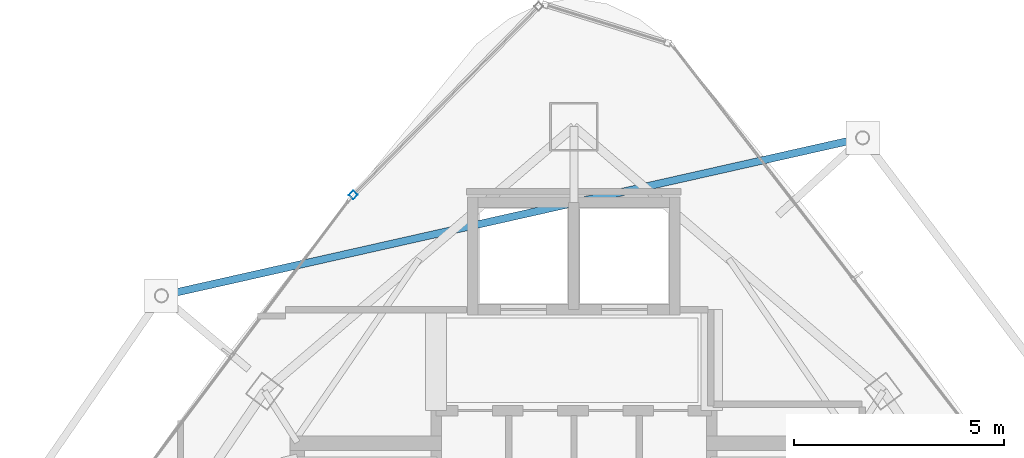
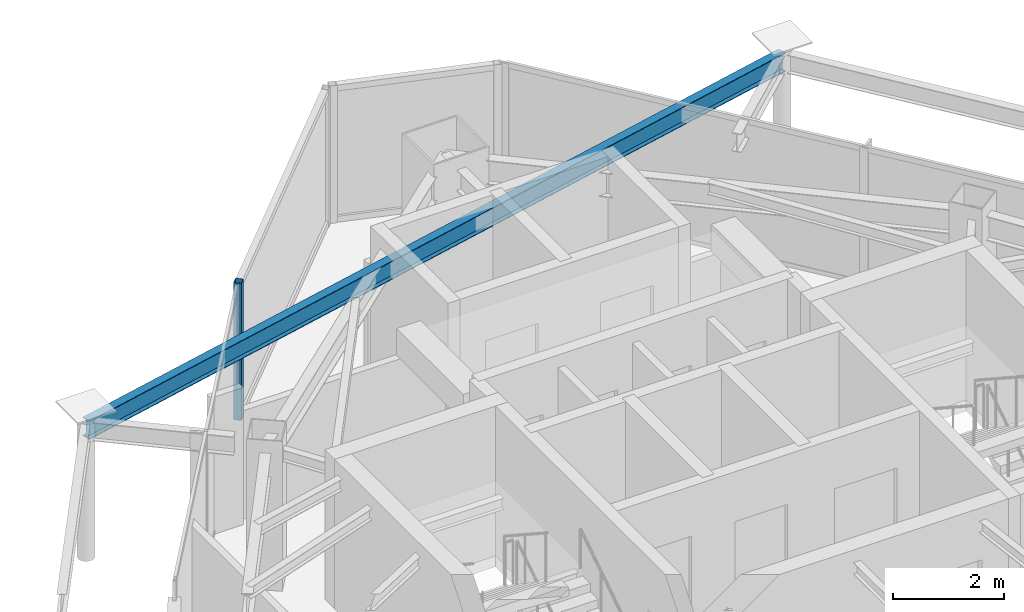
# One storey, part 21 of 30: 1 beam, 1 member, 1 element without a shape of its own.
"""IFC4 building model written with IfcOpenShell, lengths in metres."""

from ifc_helpers import new_model, si_unit, direction, frame, origin, origin_2d, place, context, subcontext, project, spatial, hollow_rectangle, i_section, extrude, material, layer, layer_set, material_profile, profile_set, type_object, element, aggregate, save


model = new_model("IFC4")

# Units and contexts
model_context = context("Model", 3, precision=1e-05, world=origin(), true_north=direction((0.0, 1.0)))
body_context = subcontext(model_context, "Body", "Model", "MODEL_VIEW")
ifc_project = project(units=[si_unit("LENGTHUNIT", "METRE"), si_unit("AREAUNIT", "SQUARE_METRE"), si_unit("VOLUMEUNIT", "CUBIC_METRE"), si_unit("PLANEANGLEUNIT", "RADIAN"), si_unit("MASSUNIT", "GRAM", prefix="KILO")], contexts=[model_context])

# Site, building, storey
site_placement = place(None, origin())
site = spatial("IfcSite", under=ifc_project, at=site_placement, CompositionType="ELEMENT")
building_placement = place(site_placement, origin())
building = spatial("IfcBuilding", under=site, at=building_placement, Name="Orvanel Arch Residences", CompositionType="ELEMENT")
storey_placement = place(building_placement, frame((0.0, 0.0, 273.35009765625)))
storey = spatial("IfcBuildingStorey", under=building, at=storey_placement, Name="L78", CompositionType="ELEMENT", Elevation=273.35009765625)

# Curtain wall, member
ifc_material_1 = material(Name="Bronze-anodised aluminium AA6063-T6", Category="aluminium")
ifc_layer = layer(ifc_material_1, 0.18994140625)
ifc_layer_set = layer_set([ifc_layer], Name="Bronze-anodised aluminium AA6063-T6")
curtain_wall_type = type_object("IfcCurtainWallType", Name="CW5-CRN-SYS", PredefinedType="NOTDEFINED", material=ifc_layer_set)
curtain_wall_placement = place(storey_placement, origin())
curtain_wall = element("IfcCurtainWall", 1, at=curtain_wall_placement, inside=storey, type_object=curtain_wall_type, Name="L78 CW5-CRN-SYS Unitised Curtain Wall", PredefinedType="NOTDEFINED")
ifc_material_profile_1 = material_profile(ifc_material_1, hollow_rectangle(XDim=0.14990234375, YDim=0.14990234375, WallThickness=0.0048828125, at=origin_2d()), Name="ALU150x150x5")
ifc_profile_set_1 = profile_set([ifc_material_profile_1], Name="Bronze-anodised aluminium AA6063-T6")
member_type = type_object("IfcMemberType", Name="MUL-150x150", PredefinedType="MULLION", material=ifc_profile_set_1)
member_placement = place(storey_placement, frame((27.753662109375, 39.7763671875, 0.0), z_axis=(0.0, 0.0, 1.0), x_axis=(0.712987423362, -0.701176820871, 0.0)))
member = element("IfcMember", 2, at=member_placement, type_object=member_type, Name="CW-S5 mullion 2", PredefinedType="MULLION", context=body_context, shape_type="SweptSolid", body=[
    extrude(hollow_rectangle(XDim=0.14990234375, YDim=0.14990234375, WallThickness=0.0048828125, at=origin_2d()), origin(), (0.0, 0.0, 1.0), 3.02001953125),
])
aggregate(curtain_wall, [member])

# Beam
ifc_material_2 = material(Name="Structural steel AS/NZS 3679.1 Grade 300 (300 MPa)", Category="steel")
ifc_material_profile_2 = material_profile(ifc_material_2, i_section(OverallWidth=0.177978515625, OverallDepth=0.406005859375, WebThickness=0.0078125, FlangeThickness=0.0126953125, at=origin_2d()), Name="410UB59.7")
ifc_profile_set_2 = profile_set([ifc_material_profile_2], Name="Structural steel AS/NZS 3679.1 Grade 300 (300 MPa)")
beam_type = type_object("IfcBeamType", Name="OB-410UB-EXT", PredefinedType="SPANDREL", material=ifc_profile_set_2)
beam_placement = place(storey_placement, frame((39.860107421875, 41.134033203125, 2.81689453125), z_axis=(-0.975565659336, -0.219708088891, 0.0), x_axis=(0.219708088891, -0.975565659336, 0.0)))
element("IfcBeam", 3, at=beam_placement, inside=storey, type_object=beam_type, Name="L78 Outer Perimeter Floor Ring Beam 12", PredefinedType="SPANDREL", context=body_context, shape_type="SweptSolid", body=[
    extrude(i_section(OverallWidth=0.177978515625, OverallDepth=0.406005859375, WebThickness=0.0078125, FlangeThickness=0.0126953125, at=origin_2d()), origin(), (0.0, 0.0, 1.0), 17.08154296875),
])

save(model, "model.ifc")
